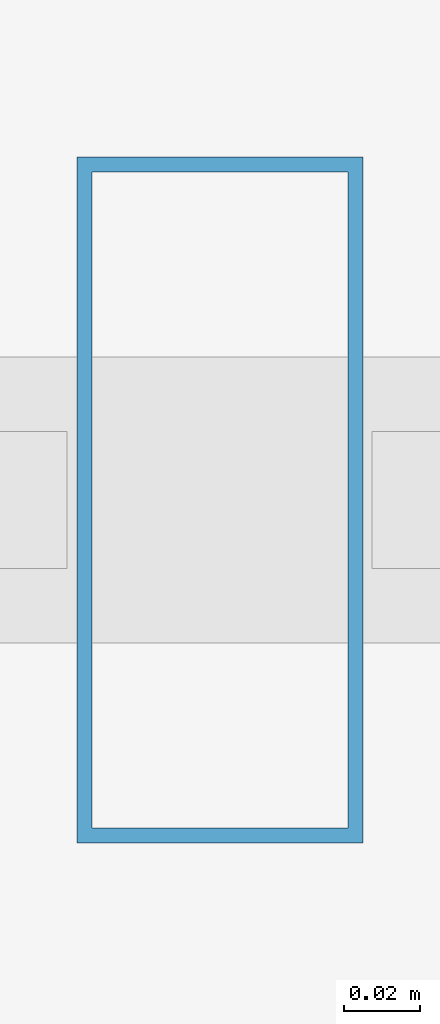
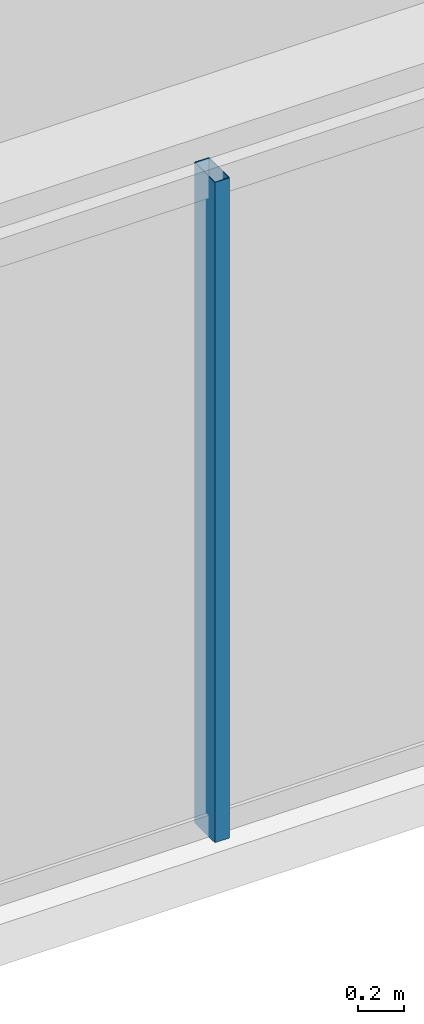
# One storey, part 7 of 32: 1 member, 1 element without a shape of its own.
"""IFC4 building model written with IfcOpenShell, lengths in metres."""

from ifc_helpers import new_model, si_unit, direction, frame, origin, origin_2d, place, context, subcontext, project, spatial, hollow_rectangle, extrude, material, layer, layer_set, material_profile, profile_set, type_object, element, aggregate, save


model = new_model("IFC4")

# Units and contexts
model_context = context("Model", 3, precision=1e-05, world=origin(), true_north=direction((0.0, 1.0)))
body_context = subcontext(model_context, "Body", "Model", "MODEL_VIEW")
ifc_project = project(units=[si_unit("LENGTHUNIT", "METRE"), si_unit("AREAUNIT", "SQUARE_METRE"), si_unit("VOLUMEUNIT", "CUBIC_METRE"), si_unit("PLANEANGLEUNIT", "RADIAN"), si_unit("MASSUNIT", "GRAM", prefix="KILO")], contexts=[model_context])

# Site, building, storey
site_placement = place(None, origin())
site = spatial("IfcSite", under=ifc_project, at=site_placement, CompositionType="ELEMENT")
building_placement = place(site_placement, origin())
building = spatial("IfcBuilding", under=site, at=building_placement, Name="Ndaravel Arena Tower", CompositionType="ELEMENT")
storey_placement = place(building_placement, frame((0.0, 0.0, 294.699951171875)))
storey = spatial("IfcBuildingStorey", under=building, at=storey_placement, Name="L72", CompositionType="ELEMENT", Elevation=294.699951171875)

# Curtain wall, member
ifc_material_1 = material(Name="Aluminium", Category="aluminium")
ifc_layer = layer(ifc_material_1, 0.179931640625)
ifc_layer_set = layer_set([ifc_layer], Name="Aluminium")
curtain_wall_type = type_object("IfcCurtainWallType", Name="CW-SYS-03", PredefinedType="NOTDEFINED", material=ifc_layer_set)
curtain_wall_placement = place(storey_placement, origin())
curtain_wall = element("IfcCurtainWall", 1, at=curtain_wall_placement, inside=storey, type_object=curtain_wall_type, Name="L72 Faceted Crystal Curtain Wall CW-L72-E01", PredefinedType="NOTDEFINED")
ifc_material_2 = material(Name="Aluminium", Category="aluminium")
ifc_material_profile = material_profile(ifc_material_2, hollow_rectangle(XDim=0.074951171875, YDim=0.179931640625, WallThickness=0.00390625, at=origin_2d()), Name="CW MULLION 75x180x4")
ifc_profile_set = profile_set([ifc_material_profile], Name="Aluminium")
member_type = type_object("IfcMemberType", Name="MEM-CW-MUL180", PredefinedType="MULLION", material=ifc_profile_set)
member_placement = place(storey_placement, frame((39.76708984375, 5.159912109375, 0.0), z_axis=(0.0, 0.0, 1.0), x_axis=(1.0, 0.0, 0.0)))
member = element("IfcMember", 2, at=member_placement, type_object=member_type, Name="CW-L72-E01 Mullion 04", PredefinedType="MULLION", context=body_context, shape_type="SweptSolid", body=[
    extrude(hollow_rectangle(XDim=0.074951171875, YDim=0.179931640625, WallThickness=0.00390625, at=origin_2d()), origin(), (0.0, 0.0, 1.0), 3.52001953125),
])
aggregate(curtain_wall, [member])

save(model, "model.ifc")
